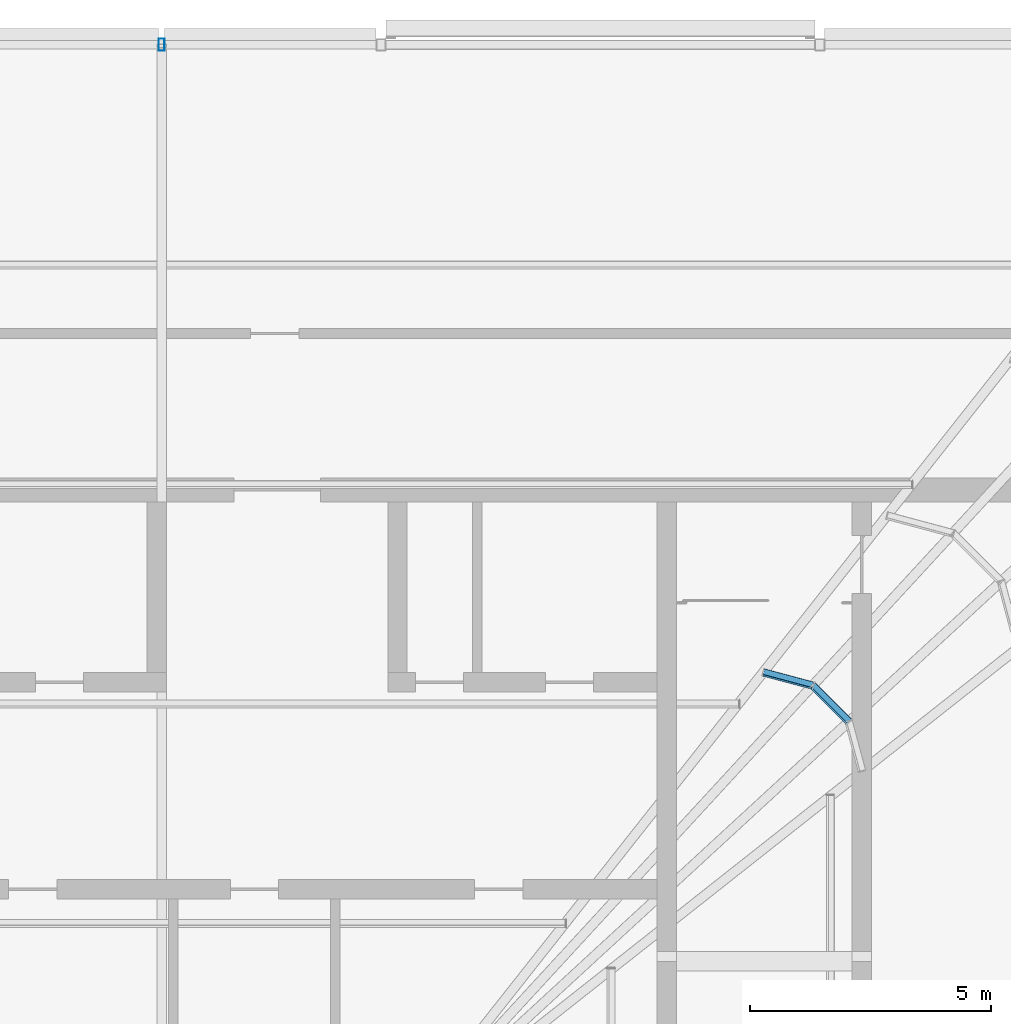
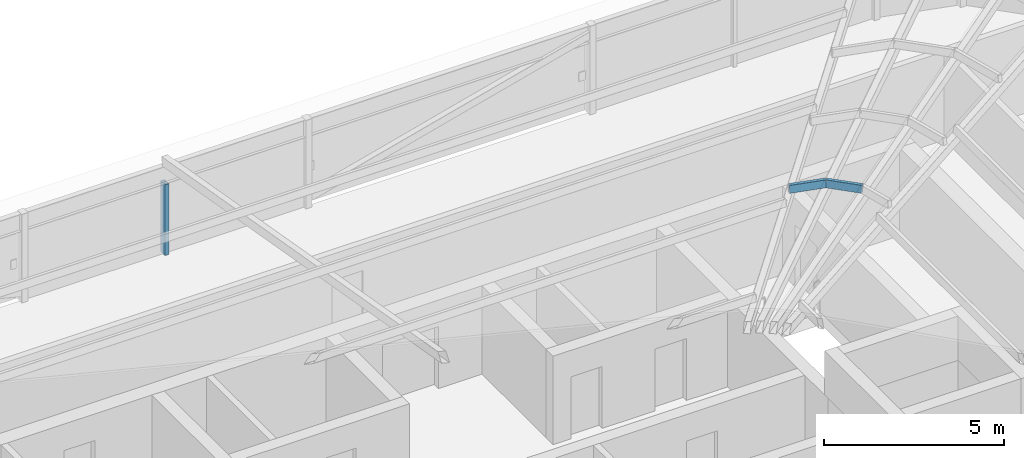
# One storey, part 18 of 46: 3 members.
"""IFC4 building model written with IfcOpenShell, lengths in metres."""

from ifc_helpers import new_model, si_unit, direction, frame, origin, origin_2d, place, context, subcontext, project, spatial, hollow_rectangle, extrude, material, material_profile, profile_set, type_object, element, save


model = new_model("IFC4")

# Units and contexts
model_context = context("Model", 3, precision=1e-05, world=origin(), true_north=direction((0.0, 1.0)))
body_context = subcontext(model_context, "Body", "Model", "MODEL_VIEW")
ifc_project = project(units=[si_unit("LENGTHUNIT", "METRE"), si_unit("AREAUNIT", "SQUARE_METRE"), si_unit("VOLUMEUNIT", "CUBIC_METRE"), si_unit("PLANEANGLEUNIT", "RADIAN"), si_unit("MASSUNIT", "GRAM", prefix="KILO")], contexts=[model_context])

# Site, building, storey
site_placement = place(None, origin())
site = spatial("IfcSite", under=ifc_project, at=site_placement, CompositionType="ELEMENT")
building_placement = place(site_placement, origin())
building = spatial("IfcBuilding", under=site, at=building_placement, Name="Madar Terraces", CompositionType="ELEMENT")
storey_placement = place(building_placement, frame((0.0, 0.0, 317.300048828125)))
storey = spatial("IfcBuildingStorey", under=building, at=storey_placement, Name="L82", CompositionType="ELEMENT", Elevation=317.300048828125)

# Members
ifc_material_1 = material(Name="Steel ASTM A500 Grade C", Category="steel")
ifc_material_profile_1 = material_profile(ifc_material_1, hollow_rectangle(XDim=0.126953125, YDim=0.25390625, WallThickness=0.00634765625, InnerFilletRadius=0.0029296875, OuterFilletRadius=0.0087890625, at=origin_2d()), Name="HSS10x5x.25")
ifc_profile_set_1 = profile_set([ifc_material_profile_1], Name="Steel ASTM A500 Grade C")
member_type_1 = type_object("IfcMemberType", Name="CF4 HSS10x5x.25", PredefinedType="PURLIN", material=ifc_profile_set_1)
for number, where, z_axis, x_axis, name in (
    (1, (43.083984375, 32.73095703125, 5.7138671875), (-0.707106781187, 0.707106781187, 0.0), (-0.700941463334, -0.700941463334, 0.131765435371), "Crown frame purlin 32"),
    (2, (42.33837890625, 33.4794921875, 5.714111328125), (-0.965975674746, 0.258632936414, 0.0), (-0.256297394729, -0.957252592193, 0.13408624163), "Crown frame purlin 36"),
):
    element("IfcMember", number, at=place(storey_placement, frame(where, z_axis=z_axis, x_axis=x_axis)), inside=storey, type_object=member_type_1, Name=name, PredefinedType="PURLIN", context=body_context, shape_type="SweptSolid", body=[
        extrude(hollow_rectangle(XDim=0.126953125, YDim=0.25390625, WallThickness=0.00634765625, InnerFilletRadius=0.0029296875, OuterFilletRadius=0.0087890625, at=origin_2d()), origin(), (0.0, 0.0, 1.0), 1.064697265625),
    ])
ifc_material_2 = material(Name="Steel ASTM A500 Grade C", Category="steel")
ifc_material_profile_2 = material_profile(ifc_material_2, hollow_rectangle(XDim=0.126953125, YDim=0.25390625, WallThickness=0.00634765625, InnerFilletRadius=0.0029296875, OuterFilletRadius=0.0087890625, at=origin_2d()), Name="HSS10x5x.25")
ifc_profile_set_2 = profile_set([ifc_material_profile_2], Name="Steel ASTM A500 Grade C")
member_type_2 = type_object("IfcMemberType", Name="LS2 HSS10x5x.25", PredefinedType="POST", material=ifc_profile_set_2)
member_placement = place(storey_placement, frame((28.800048828125, 46.800048828125, 0.0), z_axis=(0.0, 0.0, 1.0), x_axis=(-1.0, 0.0, 0.0)))
element("IfcMember", 3, at=member_placement, inside=storey, type_object=member_type_2, Name="Crown louvre post LS2", PredefinedType="POST", context=body_context, shape_type="SweptSolid", body=[
    extrude(hollow_rectangle(XDim=0.126953125, YDim=0.25390625, WallThickness=0.00634765625, InnerFilletRadius=0.0029296875, OuterFilletRadius=0.0087890625, at=origin_2d()), origin(), (0.0, 0.0, 1.0), 2.39794921875),
])

save(model, "model.ifc")
